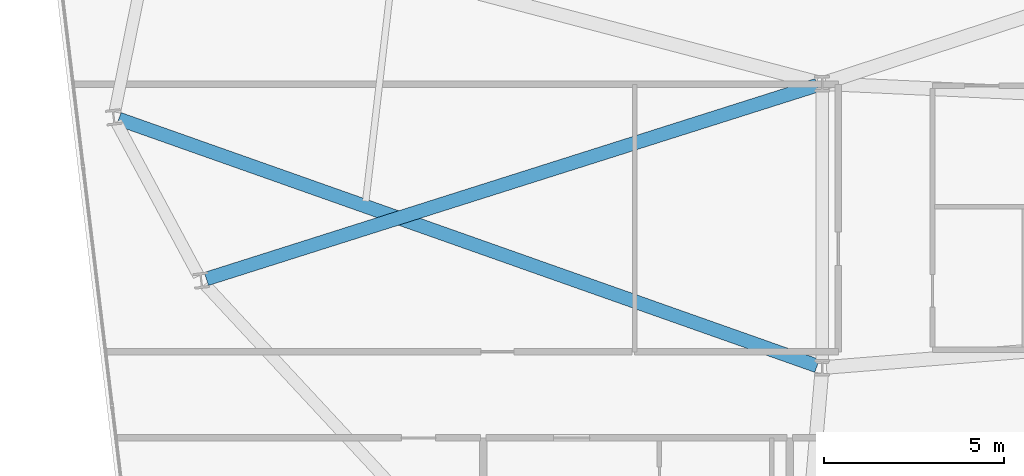
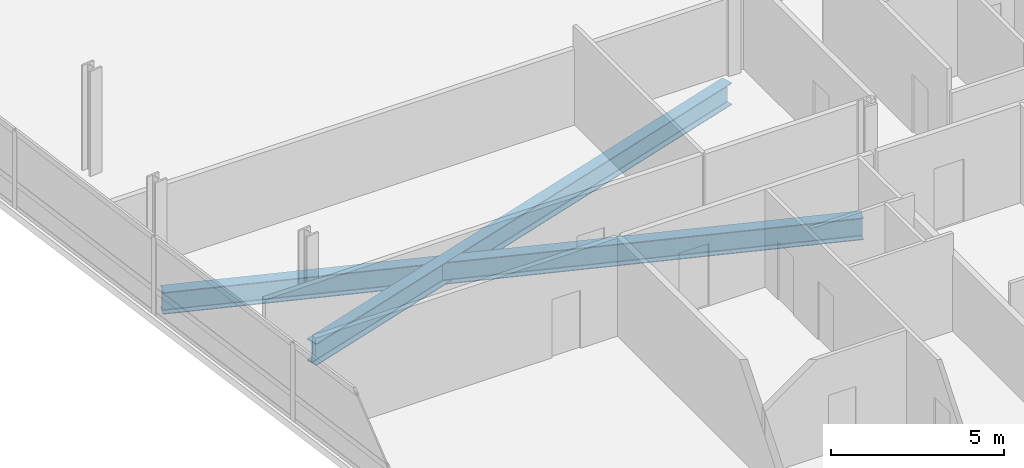
# One storey, part 5 of 23: 2 beams.
"""IFC4 building model written with IfcOpenShell, lengths in metres."""

from ifc_helpers import new_model, si_unit, direction, frame, origin, origin_2d, place, context, subcontext, project, spatial, i_section, extrude, material, material_profile, profile_set, type_object, element, save


model = new_model("IFC4")

# Units and contexts
model_context = context("Model", 3, precision=1e-05, world=origin(), true_north=direction((0.0, 1.0)))
body_context = subcontext(model_context, "Body", "Model", "MODEL_VIEW")
ifc_project = project(units=[si_unit("LENGTHUNIT", "METRE"), si_unit("AREAUNIT", "SQUARE_METRE"), si_unit("VOLUMEUNIT", "CUBIC_METRE"), si_unit("PLANEANGLEUNIT", "RADIAN"), si_unit("MASSUNIT", "GRAM", prefix="KILO")], contexts=[model_context])

# Site, building, storey
site_placement = place(None, origin())
site = spatial("IfcSite", under=ifc_project, at=site_placement, CompositionType="ELEMENT")
building_placement = place(site_placement, origin())
building = spatial("IfcBuilding", under=site, at=building_placement, Name="Varnelok Gate Tower", CompositionType="ELEMENT")
storey_placement = place(building_placement, frame((0.0, 0.0, 189.39990234375)))
storey = spatial("IfcBuildingStorey", under=building, at=storey_placement, Name="L48", CompositionType="ELEMENT", Elevation=189.39990234375)

# Beams
ifc_material = material(Name="Structural Steel ASTM A992 Grade 50", Category="steel")
ifc_material_profile = material_profile(ifc_material, i_section(OverallWidth=0.381103515625, OverallDepth=0.77294921875, WebThickness=0.0166015625, FlangeThickness=0.027099609375, FilletRadius=0.02197265625, at=origin_2d()), Name="W30X173")
ifc_profile_set = profile_set([ifc_material_profile], Name="Structural Steel ASTM A992 Grade 50")
beam_type = type_object("IfcBeamType", Name="BM-PRI-W30X173", PredefinedType="BEAM", material=ifc_profile_set)
beam_1_placement = place(storey_placement, frame((24.258544921875, 18.85009765625, -0.636474609375), z_axis=(-0.942837769657, 0.333252066923, 0.0), x_axis=(-0.333252066923, -0.942837769657, 0.0)))
element("IfcBeam", 1, at=beam_1_placement, inside=storey, type_object=beam_type, Name="L48 Radial Floor Girder 15", PredefinedType="BEAM", context=body_context, shape_type="SweptSolid", body=[
    extrude(i_section(OverallWidth=0.381103515625, OverallDepth=0.77294921875, WebThickness=0.0166015625, FlangeThickness=0.027099609375, FilletRadius=0.02197265625, at=origin_2d()), origin(), (0.0, 0.0, 1.0), 20.5458984375),
])
beam_2_placement = place(storey_placement, frame((24.257080078125, 26.634521484375, -0.636474609375), z_axis=(-0.953202154823, -0.302333676657, 0.0), x_axis=(0.302333676657, -0.953202154823, 0.0)))
element("IfcBeam", 2, at=beam_2_placement, inside=storey, type_object=beam_type, Name="L48 Radial Floor Girder 16", PredefinedType="BEAM", context=body_context, shape_type="SweptSolid", body=[
    extrude(i_section(OverallWidth=0.381103515625, OverallDepth=0.77294921875, WebThickness=0.0166015625, FlangeThickness=0.027099609375, FilletRadius=0.02197265625, at=origin_2d()), origin(), (0.0, 0.0, 1.0), 17.77099609375),
])

save(model, "model.ifc")
